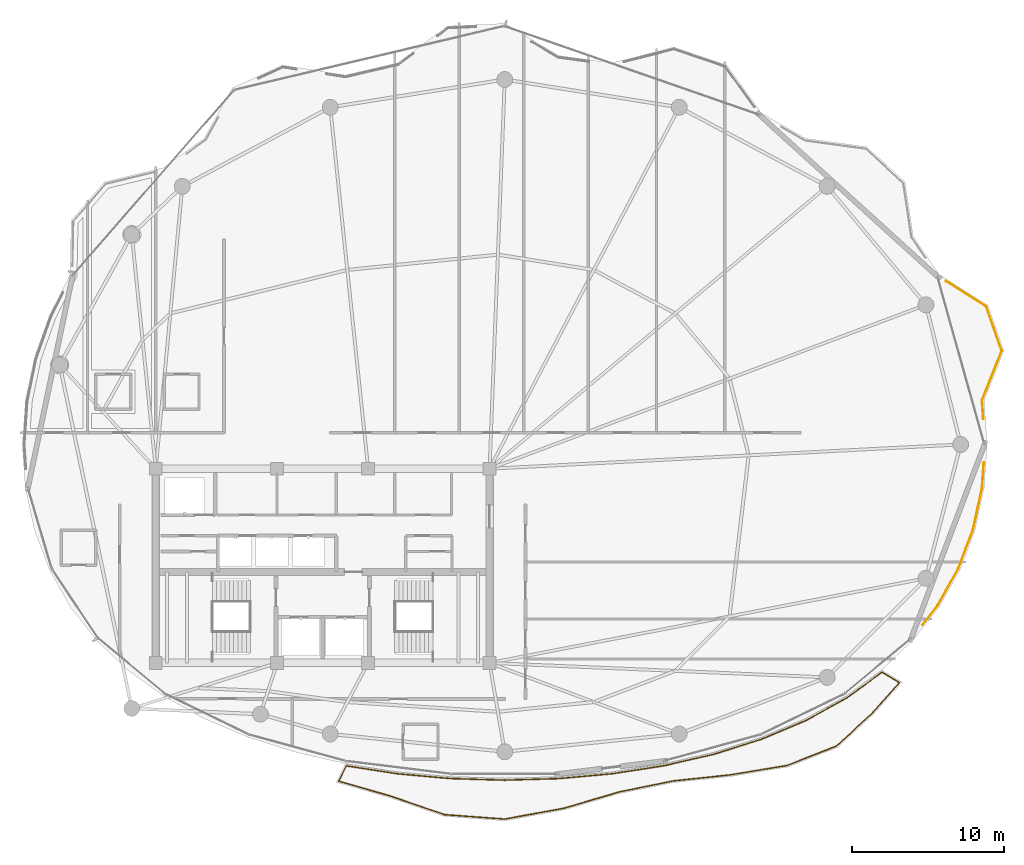
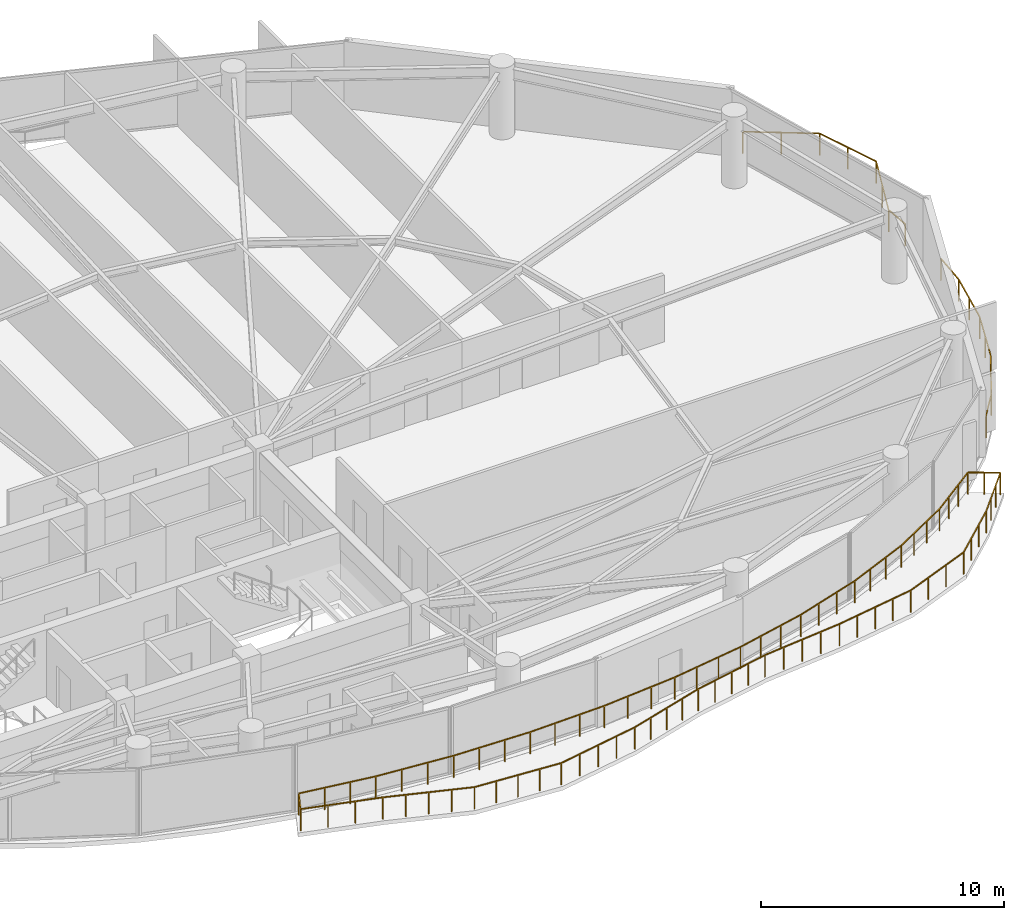
# One storey, part 28 of 29: 3 railings.
"""IFC4 building model written with IfcOpenShell, lengths in metres."""

import ifcopenshell
import ifcopenshell.guid

model = None  # the IFC model being written
_history = None  # IfcOwnerHistory: only IFC2X3 demands one
_inside = {}  # id of a spatial element -> (the spatial element, [elements in it])
_under = {}  # id of a project, library or spatial element -> (it, [spatial elements below it])
_declared = {}  # id of a project -> (the project, [libraries it declares])
_typed = {}  # id of a type object -> (the type object, [elements of that type])
_made_of = {}  # id of a material, layer set ... -> (it, [elements and type objects made of it])


def new_model(schema):
    """Start an empty IFC model of exactly this schema.

    Asked for "IFC4X3", IfcOpenShell would pick the latest addendum, in which some entities
    have other attributes; the version numbers below select the first issue.
    IFC2X3 requires an IfcOwnerHistory on every rooted entity: one is made here for all.
    """
    global model, _history
    if schema == "IFC4X3":
        model = ifcopenshell.file(schema_version=(4, 3, 0, 0))
    else:
        model = ifcopenshell.file(schema=schema)
    _inside.clear()
    _under.clear()
    _declared.clear()
    _typed.clear()
    _made_of.clear()
    _history = None
    if model.schema == "IFC2X3":
        org = make("IfcOrganization", Name="unknown")
        user = make(
            "IfcPersonAndOrganization",
            ThePerson=make("IfcPerson", FamilyName="unknown"),
            TheOrganization=org,
        )
        app = make(
            "IfcApplication",
            ApplicationDeveloper=org,
            Version="unknown",
            ApplicationFullName="unknown",
            ApplicationIdentifier="unknown",
        )
        _history = make(
            "IfcOwnerHistory",
            OwningUser=user,
            OwningApplication=app,
            ChangeAction="ADDED",
            CreationDate=0,
        )
    return model


def make(cls, **values):
    """One entity of the class cls with the attributes given. An attribute that is None is left unset."""
    return model.create_entity(
        cls, **{name: value for name, value in values.items() if value is not None}
    )


def rooted(cls, **values):
    """An entity with a GlobalId (a new one), such as an element, a storey or a relation."""
    return make(cls, GlobalId=ifcopenshell.guid.new(), OwnerHistory=_history, **values)


def si_unit(unit_type, name, prefix=None):
    """IfcSIUnit, for example si_unit("LENGTHUNIT", "METRE", prefix="MILLI")."""
    return make("IfcSIUnit", UnitType=unit_type, Prefix=prefix, Name=name)


def assignment(units):
    """IfcUnitAssignment: the units of a project."""
    return None if units is None else make("IfcUnitAssignment", Units=units)


def point(xyz):
    """IfcCartesianPoint."""
    return None if xyz is None else make("IfcCartesianPoint", Coordinates=xyz)


def direction(xyz):
    """IfcDirection."""
    return None if xyz is None else make("IfcDirection", DirectionRatios=xyz)


def frame(location, z_axis=None, x_axis=None):
    """IfcAxis2Placement3D, a coordinate frame: its origin and axes. An axis left out is left unset."""
    return make(
        "IfcAxis2Placement3D",
        Location=point(location),
        Axis=direction(z_axis),
        RefDirection=direction(x_axis),
    )


def frame_2d(location, x_axis=None):
    """IfcAxis2Placement2D, a coordinate frame in the plane: its origin and x axis."""
    return make(
        "IfcAxis2Placement2D", Location=point(location), RefDirection=direction(x_axis)
    )


def origin():
    """The frame at (0, 0, 0) with its axes left unset."""
    return frame((0.0, 0.0, 0.0))


def origin_2d():
    """The frame at (0, 0) in the plane with its x axis left unset."""
    return frame_2d((0.0, 0.0))


def place(relative_to, where):
    """IfcLocalPlacement: puts the frame where relative to a parent placement (None: the world)."""
    return make(
        "IfcLocalPlacement", PlacementRelTo=relative_to, RelativePlacement=where
    )


def context(
    kind, dimensions, precision=None, world=None, true_north=None, identifier=None
):
    """IfcGeometricRepresentationContext, for example the 3D "Model" context."""
    return make(
        "IfcGeometricRepresentationContext",
        ContextIdentifier=identifier,
        ContextType=kind,
        CoordinateSpaceDimension=dimensions,
        Precision=precision,
        WorldCoordinateSystem=world,
        TrueNorth=true_north,
    )


def subcontext(parent, identifier, kind, view, scale=None):
    """IfcGeometricRepresentationSubContext, for example "Body" below "Model"."""
    return make(
        "IfcGeometricRepresentationSubContext",
        ContextIdentifier=identifier,
        ContextType=kind,
        ParentContext=parent,
        TargetScale=scale,
        TargetView=view,
    )


def project(units=None, contexts=None):
    """IfcProject with its units and contexts."""
    return rooted(
        "IfcProject",
        Name="project",
        RepresentationContexts=contexts,
        UnitsInContext=assignment(units),
    )


def spatial(cls, under=None, at=None, **own):
    """A site, building, storey or space (cls), placed at a placement, below another one or the project."""
    s = rooted(cls, ObjectPlacement=at, **own)
    if under is not None:
        _under.setdefault(under.id(), (under, []))[1].append(s)
    return s


def profile(cls, at=None, kind="AREA", **sizes):
    """A parametric profile (cls). Its sizes go by their IFC names, for example OverallWidth=200.0."""
    return make(cls, ProfileType=kind, Position=at, **sizes)


def rectangle(**sizes):
    """IfcRectangleProfileDef."""
    return profile("IfcRectangleProfileDef", **sizes)


def extrude(swept, where, along, depth):
    """IfcExtrudedAreaSolid: the profile swept, set in the frame where, extruded along a direction by depth."""
    return make(
        "IfcExtrudedAreaSolid",
        SweptArea=swept,
        Position=where,
        ExtrudedDirection=direction(along),
        Depth=depth,
    )


def shape(context_of_items, identifier, shape_type, items):
    """IfcShapeRepresentation: the items that make up one representation, for example the "Body"."""
    return make(
        "IfcShapeRepresentation",
        ContextOfItems=context_of_items,
        RepresentationIdentifier=identifier,
        RepresentationType=shape_type,
        Items=items,
    )


def material(Name=None, Category=None):
    """IfcMaterial."""
    return make("IfcMaterial", Name=Name, Category=Category)


def made_of(thing, what):
    """Note that an element or type object is made of a material, layer set ...; save() writes the relation."""
    if what is not None:
        _made_of.setdefault(what.id(), (what, []))[1].append(thing)
    return thing


def type_object(cls, material=None, **own):
    """A type object (cls), such as IfcWallType, which elements share."""
    return made_of(rooted(cls, **own), material)


def element(
    cls,
    number,
    at=None,
    inside=None,
    cuts=None,
    type_object=None,
    material=None,
    context=None,
    identifier="Body",
    shape_type=None,
    held_by="IfcProductDefinitionShape",
    body=None,
    shapes=None,
    **own,
):
    """One element of the class cls, such as IfcWall. Its Tag is "e" and its number.

    at: its placement. inside: the storey or other place that contains it. cuts: it is an
    opening in that element (IfcRelVoidsElement). A single representation is given by context,
    identifier, shape_type and body (its items); several are given by shapes. held_by: the class
    of the entity that holds the representations. save() writes the other relations.
    """
    e = rooted(cls, Tag="e%d" % number, ObjectPlacement=at, **own)
    if body is not None:
        shapes = [shape(context, identifier, shape_type, body)]
    if shapes is not None:
        e.Representation = make(held_by, Representations=shapes)
    if inside is not None:
        _inside.setdefault(inside.id(), (inside, []))[1].append(e)
    if cuts is not None:
        rooted(
            "IfcRelVoidsElement", RelatingBuildingElement=cuts, RelatedOpeningElement=e
        )
    if type_object is not None:
        _typed.setdefault(type_object.id(), (type_object, []))[1].append(e)
    return made_of(e, material)


def aggregate(whole, parts):
    """IfcRelAggregates: a whole, such as a stair, and the parts it consists of."""
    return rooted("IfcRelAggregates", RelatingObject=whole, RelatedObjects=parts)


def save(model, path):
    """Write the relations noted so far, then the file.

    IfcRelAggregates (storeys below a building ...), IfcRelContainedInSpatialStructure (elements
    in a storey), IfcRelDefinesByType, IfcRelAssociatesMaterial and IfcRelDeclares: one each for
    every whole, place, type object, material and project.
    """
    for whole, parts in _under.values():
        aggregate(whole, parts)
    for where, things in _inside.values():
        rooted(
            "IfcRelContainedInSpatialStructure",
            RelatedElements=things,
            RelatingStructure=where,
        )
    for kind, things in _typed.values():
        rooted("IfcRelDefinesByType", RelatedObjects=things, RelatingType=kind)
    for what, things in _made_of.values():
        rooted("IfcRelAssociatesMaterial", RelatedObjects=things, RelatingMaterial=what)
    for by, libraries in _declared.values():
        rooted("IfcRelDeclares", RelatingContext=by, RelatedDefinitions=libraries)
    model.write(path)


model = new_model("IFC4")

# Units and contexts
model_context = context("Model", 3, precision=1e-05, world=origin(), true_north=direction((0.0, 1.0)))
body_context = subcontext(model_context, "Body", "Model", "MODEL_VIEW")
ifc_project = project(units=[si_unit("LENGTHUNIT", "METRE"), si_unit("AREAUNIT", "SQUARE_METRE"), si_unit("VOLUMEUNIT", "CUBIC_METRE"), si_unit("PLANEANGLEUNIT", "RADIAN"), si_unit("MASSUNIT", "GRAM", prefix="KILO")], contexts=[model_context])

# Site, building, storey
site_placement = place(None, origin())
site = spatial("IfcSite", under=ifc_project, at=site_placement, CompositionType="ELEMENT")
building_placement = place(site_placement, origin())
building = spatial("IfcBuilding", under=site, at=building_placement, Name="Kazevale Care Tower and Concert Hall", CompositionType="ELEMENT")
storey_placement = place(building_placement, frame((0.0, 0.0, 224.39990234375)))
storey = spatial("IfcBuildingStorey", under=building, at=storey_placement, Name="L59", CompositionType="ELEMENT", Elevation=224.39990234375)

# Railings
ifc_material = material(Name="Anodised Bronze Aluminium and Laminated Glass", Category="aluminium")
railing_type = type_object("IfcRailingType", Name="Balcony and Terrace Balustrade 1120", PredefinedType="BALUSTRADE", material=ifc_material)
railing_1_placement = place(storey_placement, frame((76.576904296875, 36.81103515625, 0.0)))
element("IfcRailing", 1, at=railing_1_placement, inside=storey, type_object=railing_type, Name="rail:L59:perim:10", PredefinedType="BALUSTRADE", context=body_context, shape_type="SweptSolid", body=[
    extrude(rectangle(XDim=0.048095703125, YDim=0.048095703125, at=origin_2d()), frame((0.0, 0.0, 1.09619140625), z_axis=(-0.069683140934, -0.997569175481, 0.0), x_axis=(0.997569175481, -0.069683140934, 0.0)), (0.0, 0.0, 1.0), 1.664306640625),
    extrude(rectangle(XDim=0.048095703125, YDim=0.048095703125, at=origin_2d()), frame((-0.115966796875, -1.66015625, 1.09619140625), z_axis=(-0.210886672564, -0.97751051725, 0.0), x_axis=(0.97751051725, -0.210886672564, 0.0)), (0.0, 0.0, 1.0), 2.81201171875),
    extrude(rectangle(XDim=0.048095703125, YDim=0.048095703125, at=origin_2d()), frame((-0.708984375, -4.408935546875, 1.09619140625), z_axis=(-0.352914941795, -0.935655408715, 0.0), x_axis=(0.935655408715, -0.352914941795, 0.0)), (0.0, 0.0, 1.0), 2.77685546875),
    extrude(rectangle(XDim=0.048095703125, YDim=0.048095703125, at=origin_2d()), frame((-1.68896484375, -7.007080078125, 1.09619140625), z_axis=(-0.490131162051, -0.871648692987, 0.0), x_axis=(0.871648692987, -0.490131162051, 0.0)), (0.0, 0.0, 1.0), 2.762451171875),
    extrude(rectangle(XDim=0.048095703125, YDim=0.048095703125, at=origin_2d()), frame((-3.04296875, -9.4150390625, 1.09619140625), z_axis=(-0.615507243123, -0.788131228707, 0.0), x_axis=(0.788131228707, -0.615507243123, 0.0)), (0.0, 0.0, 1.0), 1.6279296875),
    extrude(rectangle(XDim=0.0419921875, YDim=0.0419921875, at=origin_2d()), origin(), (0.0, 0.0, 1.0), 1.072021484375),
    extrude(rectangle(XDim=0.0419921875, YDim=0.0419921875, at=origin_2d()), frame((-0.115966796875, -1.66015625, 0.0)), (0.0, 0.0, 1.0), 1.072021484375),
    extrude(rectangle(XDim=0.0419921875, YDim=0.0419921875, at=origin_2d()), frame((-0.41259765625, -3.03466796875, 0.0)), (0.0, 0.0, 1.0), 1.072021484375),
    extrude(rectangle(XDim=0.0419921875, YDim=0.0419921875, at=origin_2d()), frame((-0.708984375, -4.408935546875, 0.0)), (0.0, 0.0, 1.0), 1.072021484375),
    extrude(rectangle(XDim=0.0419921875, YDim=0.0419921875, at=origin_2d()), frame((-1.198974609375, -5.7080078125, 0.0)), (0.0, 0.0, 1.0), 1.072021484375),
    extrude(rectangle(XDim=0.0419921875, YDim=0.0419921875, at=origin_2d()), frame((-1.68896484375, -7.007080078125, 0.0)), (0.0, 0.0, 1.0), 1.072021484375),
    extrude(rectangle(XDim=0.0419921875, YDim=0.0419921875, at=origin_2d()), frame((-2.365966796875, -8.2109375, 0.0)), (0.0, 0.0, 1.0), 1.072021484375),
    extrude(rectangle(XDim=0.0419921875, YDim=0.0419921875, at=origin_2d()), frame((-3.04296875, -9.4150390625, 0.0)), (0.0, 0.0, 1.0), 1.072021484375),
    extrude(rectangle(XDim=0.0419921875, YDim=0.0419921875, at=origin_2d()), frame((-4.044921875, -10.697998046875, 0.0)), (0.0, 0.0, 1.0), 1.072021484375),
])
railing_2_placement = place(storey_placement, frame((74.073974609375, 48.760009765625, 0.0)))
element("IfcRailing", 2, at=railing_2_placement, inside=storey, type_object=railing_type, Name="rail:L59:perim:11", PredefinedType="BALUSTRADE", context=body_context, shape_type="SweptSolid", body=[
    extrude(rectangle(XDim=0.048095703125, YDim=0.048095703125, at=origin_2d()), frame((0.0, 0.0, 1.09619140625), z_axis=(0.845028885188, -0.534720659034, 0.0), x_axis=(0.534720659034, 0.845028885188, 0.0)), (0.0, 0.0, 1.0), 3.155029296875),
    extrude(rectangle(XDim=0.048095703125, YDim=0.048095703125, at=origin_2d()), frame((2.666015625, -1.68701171875, 1.09619140625), z_axis=(0.330541862018, -0.943791331521, 0.0), x_axis=(0.943791331521, 0.330541862018, 0.0)), (0.0, 0.0, 1.0), 3.0673828125),
    extrude(rectangle(XDim=0.048095703125, YDim=0.048095703125, at=origin_2d()), frame((3.679931640625, -4.58203125, 1.09619140625), z_axis=(-0.368706440166, -0.929545889658, 0.0), x_axis=(0.929545889658, -0.368706440166, 0.0)), (0.0, 0.0, 1.0), 3.5146484375),
    extrude(rectangle(XDim=0.048095703125, YDim=0.048095703125, at=origin_2d()), frame((2.384033203125, -7.84912109375, 1.09619140625), z_axis=(0.069088253147, -0.997610551907, 0.0), x_axis=(0.997610551907, 0.069088253147, 0.0)), (0.0, 0.0, 1.0), 1.229736328125),
    extrude(rectangle(XDim=0.0419921875, YDim=0.0419921875, at=origin_2d()), origin(), (0.0, 0.0, 1.0), 1.072021484375),
    extrude(rectangle(XDim=0.0419921875, YDim=0.0419921875, at=origin_2d()), frame((1.3330078125, -0.843505859375, 0.0)), (0.0, 0.0, 1.0), 1.072021484375),
    extrude(rectangle(XDim=0.0419921875, YDim=0.0419921875, at=origin_2d()), frame((2.666015625, -1.68701171875, 0.0)), (0.0, 0.0, 1.0), 1.072021484375),
    extrude(rectangle(XDim=0.0419921875, YDim=0.0419921875, at=origin_2d()), frame((3.1728515625, -3.134521484375, 0.0)), (0.0, 0.0, 1.0), 1.072021484375),
    extrude(rectangle(XDim=0.0419921875, YDim=0.0419921875, at=origin_2d()), frame((3.679931640625, -4.58203125, 0.0)), (0.0, 0.0, 1.0), 1.072021484375),
    extrude(rectangle(XDim=0.0419921875, YDim=0.0419921875, at=origin_2d()), frame((3.031982421875, -6.215576171875, 0.0)), (0.0, 0.0, 1.0), 1.072021484375),
    extrude(rectangle(XDim=0.0419921875, YDim=0.0419921875, at=origin_2d()), frame((2.384033203125, -7.84912109375, 0.0)), (0.0, 0.0, 1.0), 1.072021484375),
    extrude(rectangle(XDim=0.0419921875, YDim=0.0419921875, at=origin_2d()), frame((2.468994140625, -9.075927734375, 0.0)), (0.0, 0.0, 1.0), 1.072021484375),
])
railing_3_placement = place(storey_placement, frame((34.56298828125, 16.819091796875, 0.0)))
element("IfcRailing", 3, at=railing_3_placement, inside=storey, type_object=railing_type, Name="rail:L59:balcony", PredefinedType="BALUSTRADE", context=body_context, shape_type="SweptSolid", body=[
    extrude(rectangle(XDim=0.048095703125, YDim=0.048095703125, at=origin_2d()), frame((0.0, 0.0, 1.09619140625), z_axis=(0.988093340761, -0.15385561395, 0.0), x_axis=(0.15385561395, 0.988093340761, 0.0)), (0.0, 0.0, 1.0), 3.38623046875),
    extrude(rectangle(XDim=0.048095703125, YDim=0.048095703125, at=origin_2d()), frame((3.345947265625, -0.52099609375, 1.09619140625), z_axis=(0.995947899496, -0.089932093766, 0.0), x_axis=(0.089932093766, 0.995947899496, 0.0)), (0.0, 0.0, 1.0), 3.537353515625),
    extrude(rectangle(XDim=0.048095703125, YDim=0.048095703125, at=origin_2d()), frame((6.868896484375, -0.839111328125, 1.09619140625), z_axis=(0.999567458851, -0.029409100739, 0.0), x_axis=(0.029409100739, 0.999567458851, 0.0)), (0.0, 0.0, 1.0), 3.569580078125),
    extrude(rectangle(XDim=0.048095703125, YDim=0.048095703125, at=origin_2d()), frame((10.43701171875, -0.944091796875, 1.09619140625), z_axis=(0.999567458851, 0.029409100739, 0.0), x_axis=(-0.029409100739, 0.999567458851, 0.0)), (0.0, 0.0, 1.0), 3.569580078125),
    extrude(rectangle(XDim=0.048095703125, YDim=0.048095703125, at=origin_2d()), frame((14.005126953125, -0.839111328125, 1.09619140625), z_axis=(0.995947899496, 0.089932093766, 0.0), x_axis=(-0.089932093766, 0.995947899496, 0.0)), (0.0, 0.0, 1.0), 3.537353515625),
    extrude(rectangle(XDim=0.048095703125, YDim=0.048095703125, at=origin_2d()), frame((17.528076171875, -0.52099609375, 1.09619140625), z_axis=(0.988098216207, 0.153824299539, 0.0), x_axis=(-0.153824299539, 0.988098216207, 0.0)), (0.0, 0.0, 1.0), 3.4775390625),
    extrude(rectangle(XDim=0.048095703125, YDim=0.048095703125, at=origin_2d()), frame((20.964111328125, 0.013916015625, 1.09619140625), z_axis=(0.974534254558, 0.224238682418, 0.0), x_axis=(-0.224238682418, 0.974534254558, 0.0)), (0.0, 0.0, 1.0), 3.389404296875),
    extrude(rectangle(XDim=0.048095703125, YDim=0.048095703125, at=origin_2d()), frame((24.26708984375, 0.77392578125, 1.09619140625), z_axis=(0.953239514235, 0.302215864078, 0.0), x_axis=(-0.302215864078, 0.953239514235, 0.0)), (0.0, 0.0, 1.0), 3.285400390625),
    extrude(rectangle(XDim=0.048095703125, YDim=0.048095703125, at=origin_2d()), frame((27.39892578125, 1.766845703125, 1.09619140625), z_axis=(0.921006567992, 0.389547046858, 0.0), x_axis=(-0.389547046858, 0.921006567992, 0.0)), (0.0, 0.0, 1.0), 3.170654296875),
    extrude(rectangle(XDim=0.048095703125, YDim=0.048095703125, at=origin_2d()), frame((30.319091796875, 3.001953125, 1.09619140625), z_axis=(0.874149737903, 0.485656499724, 0.0), x_axis=(-0.485656499724, 0.874149737903, 0.0)), (0.0, 0.0, 1.0), 3.055419921875),
    extrude(rectangle(XDim=0.048095703125, YDim=0.048095703125, at=origin_2d()), frame((32.989990234375, 4.48583984375, 1.09619140625), z_axis=(0.809111467971, 0.587655198562, 0.0), x_axis=(-0.587655198562, 0.809111467971, 0.0)), (0.0, 0.0, 1.0), 2.867431640625),
    extrude(rectangle(XDim=0.048095703125, YDim=0.048095703125, at=origin_2d()), frame((35.31005859375, 6.1708984375, 1.09619140625), z_axis=(0.858393665288, -0.512991535402, 0.0), x_axis=(0.512991535402, 0.858393665288, 0.0)), (0.0, 0.0, 1.0), 1.33740234375),
    extrude(rectangle(XDim=0.048095703125, YDim=0.048095703125, at=origin_2d()), frame((36.4580078125, 5.48486328125, 1.09619140625), z_axis=(-0.668384241521, -0.743816177349, 0.0), x_axis=(0.743816177349, -0.668384241521, 0.0)), (0.0, 0.0, 1.0), 2.8125),
    extrude(rectangle(XDim=0.048095703125, YDim=0.048095703125, at=origin_2d()), frame((34.578125, 3.392822265625, 1.09619140625), z_axis=(-0.737052488567, -0.675835504467, 0.0), x_axis=(0.675835504467, -0.737052488567, 0.0)), (0.0, 0.0, 1.0), 3.0908203125),
    extrude(rectangle(XDim=0.048095703125, YDim=0.048095703125, at=origin_2d()), frame((32.300048828125, 1.303955078125, 1.09619140625), z_axis=(-0.930836510622, -0.365435891084, 0.0), x_axis=(0.365435891084, -0.930836510622, 0.0)), (0.0, 0.0, 1.0), 3.489501953125),
    extrude(rectangle(XDim=0.048095703125, YDim=0.048095703125, at=origin_2d()), frame((29.052001953125, 0.02880859375, 1.09619140625), z_axis=(-0.986416538605, -0.164263241072, 0.0), x_axis=(0.164263241072, -0.986416538605, 0.0)), (0.0, 0.0, 1.0), 3.79150390625),
    extrude(rectangle(XDim=0.048095703125, YDim=0.048095703125, at=origin_2d()), frame((25.31201171875, -0.593994140625, 1.09619140625), z_axis=(-0.994432821465, -0.105372499228, 0.0), x_axis=(0.105372499228, -0.994432821465, 0.0)), (0.0, 0.0, 1.0), 3.7880859375),
    extrude(rectangle(XDim=0.048095703125, YDim=0.048095703125, at=origin_2d()), frame((21.544921875, -0.9931640625, 1.09619140625), z_axis=(-0.979808858255, -0.199936493129, 0.0), x_axis=(0.199936493129, -0.979808858255, 0.0)), (0.0, 0.0, 1.0), 3.660888671875),
    extrude(rectangle(XDim=0.048095703125, YDim=0.048095703125, at=origin_2d()), frame((17.9580078125, -1.72509765625, 1.09619140625), z_axis=(-0.959075433018, -0.283150690942, 0.0), x_axis=(0.283150690942, -0.959075433018, 0.0)), (0.0, 0.0, 1.0), 3.7861328125),
    extrude(rectangle(XDim=0.048095703125, YDim=0.048095703125, at=origin_2d()), frame((14.326904296875, -2.797119140625, 1.09619140625), z_axis=(-0.983798812619, -0.179276033782, 0.0), x_axis=(0.179276033782, -0.983798812619, 0.0)), (0.0, 0.0, 1.0), 3.960205078125),
    extrude(rectangle(XDim=0.048095703125, YDim=0.048095703125, at=origin_2d()), frame((10.430908203125, -3.507080078125, 1.09619140625), z_axis=(-0.997342128338, 0.072860682418, 0.0), x_axis=(-0.072860682418, -0.997342128338, 0.0)), (0.0, 0.0, 1.0), 3.96728515625),
    extrude(rectangle(XDim=0.048095703125, YDim=0.048095703125, at=origin_2d()), frame((6.47412109375, -3.218017578125, 1.09619140625), z_axis=(-0.945671323104, 0.325124204971, 0.0), x_axis=(-0.325124204971, -0.945671323104, 0.0)), (0.0, 0.0, 1.0), 3.838623046875),
    extrude(rectangle(XDim=0.048095703125, YDim=0.048095703125, at=origin_2d()), frame((2.843994140625, -1.969970703125, 1.09619140625), z_axis=(-0.961264286411, 0.275628321605, 0.0), x_axis=(-0.275628321605, -0.961264286411, 0.0)), (0.0, 0.0, 1.0), 3.48291015625),
    extrude(rectangle(XDim=0.048095703125, YDim=0.048095703125, at=origin_2d()), frame((-0.50390625, -1.010009765625, 1.09619140625), z_axis=(0.446434760748, 0.894816184697, 0.0), x_axis=(-0.894816184697, 0.446434760748, 0.0)), (0.0, 0.0, 1.0), 1.128662109375),
    extrude(rectangle(XDim=0.0419921875, YDim=0.0419921875, at=origin_2d()), origin(), (0.0, 0.0, 1.0), 1.072021484375),
    extrude(rectangle(XDim=0.0419921875, YDim=0.0419921875, at=origin_2d()), frame((1.115234375, -0.173583984375, 0.0)), (0.0, 0.0, 1.0), 1.072021484375),
    extrude(rectangle(XDim=0.0419921875, YDim=0.0419921875, at=origin_2d()), frame((2.230712890625, -0.347412109375, 0.0)), (0.0, 0.0, 1.0), 1.072021484375),
    extrude(rectangle(XDim=0.0419921875, YDim=0.0419921875, at=origin_2d()), frame((3.345947265625, -0.52099609375, 0.0)), (0.0, 0.0, 1.0), 1.072021484375),
    extrude(rectangle(XDim=0.0419921875, YDim=0.0419921875, at=origin_2d()), frame((4.520263671875, -0.626953125, 0.0)), (0.0, 0.0, 1.0), 1.072021484375),
    extrude(rectangle(XDim=0.0419921875, YDim=0.0419921875, at=origin_2d()), frame((5.694580078125, -0.733154296875, 0.0)), (0.0, 0.0, 1.0), 1.072021484375),
    extrude(rectangle(XDim=0.0419921875, YDim=0.0419921875, at=origin_2d()), frame((6.868896484375, -0.839111328125, 0.0)), (0.0, 0.0, 1.0), 1.072021484375),
    extrude(rectangle(XDim=0.0419921875, YDim=0.0419921875, at=origin_2d()), frame((8.058349609375, -0.8740234375, 0.0)), (0.0, 0.0, 1.0), 1.072021484375),
    extrude(rectangle(XDim=0.0419921875, YDim=0.0419921875, at=origin_2d()), frame((9.24755859375, -0.9091796875, 0.0)), (0.0, 0.0, 1.0), 1.072021484375),
    extrude(rectangle(XDim=0.0419921875, YDim=0.0419921875, at=origin_2d()), frame((10.43701171875, -0.944091796875, 0.0)), (0.0, 0.0, 1.0), 1.072021484375),
    extrude(rectangle(XDim=0.0419921875, YDim=0.0419921875, at=origin_2d()), frame((11.62646484375, -0.9091796875, 0.0)), (0.0, 0.0, 1.0), 1.072021484375),
    extrude(rectangle(XDim=0.0419921875, YDim=0.0419921875, at=origin_2d()), frame((12.815673828125, -0.8740234375, 0.0)), (0.0, 0.0, 1.0), 1.072021484375),
    extrude(rectangle(XDim=0.0419921875, YDim=0.0419921875, at=origin_2d()), frame((14.005126953125, -0.839111328125, 0.0)), (0.0, 0.0, 1.0), 1.072021484375),
    extrude(rectangle(XDim=0.0419921875, YDim=0.0419921875, at=origin_2d()), frame((15.179443359375, -0.733154296875, 0.0)), (0.0, 0.0, 1.0), 1.072021484375),
    extrude(rectangle(XDim=0.0419921875, YDim=0.0419921875, at=origin_2d()), frame((16.353759765625, -0.626953125, 0.0)), (0.0, 0.0, 1.0), 1.072021484375),
    extrude(rectangle(XDim=0.0419921875, YDim=0.0419921875, at=origin_2d()), frame((17.528076171875, -0.52099609375, 0.0)), (0.0, 0.0, 1.0), 1.072021484375),
    extrude(rectangle(XDim=0.0419921875, YDim=0.0419921875, at=origin_2d()), frame((18.67333984375, -0.3427734375, 0.0)), (0.0, 0.0, 1.0), 1.072021484375),
    extrude(rectangle(XDim=0.0419921875, YDim=0.0419921875, at=origin_2d()), frame((19.81884765625, -0.164306640625, 0.0)), (0.0, 0.0, 1.0), 1.072021484375),
    extrude(rectangle(XDim=0.0419921875, YDim=0.0419921875, at=origin_2d()), frame((20.964111328125, 0.013916015625, 0.0)), (0.0, 0.0, 1.0), 1.072021484375),
    extrude(rectangle(XDim=0.0419921875, YDim=0.0419921875, at=origin_2d()), frame((22.065185546875, 0.267333984375, 0.0)), (0.0, 0.0, 1.0), 1.072021484375),
    extrude(rectangle(XDim=0.0419921875, YDim=0.0419921875, at=origin_2d()), frame((23.166015625, 0.5205078125, 0.0)), (0.0, 0.0, 1.0), 1.072021484375),
    extrude(rectangle(XDim=0.0419921875, YDim=0.0419921875, at=origin_2d()), frame((24.26708984375, 0.77392578125, 0.0)), (0.0, 0.0, 1.0), 1.072021484375),
    extrude(rectangle(XDim=0.0419921875, YDim=0.0419921875, at=origin_2d()), frame((25.31103515625, 1.10498046875, 0.0)), (0.0, 0.0, 1.0), 1.072021484375),
    extrude(rectangle(XDim=0.0419921875, YDim=0.0419921875, at=origin_2d()), frame((26.35498046875, 1.435791015625, 0.0)), (0.0, 0.0, 1.0), 1.072021484375),
    extrude(rectangle(XDim=0.0419921875, YDim=0.0419921875, at=origin_2d()), frame((27.39892578125, 1.766845703125, 0.0)), (0.0, 0.0, 1.0), 1.072021484375),
    extrude(rectangle(XDim=0.0419921875, YDim=0.0419921875, at=origin_2d()), frame((28.372314453125, 2.178466796875, 0.0)), (0.0, 0.0, 1.0), 1.072021484375),
    extrude(rectangle(XDim=0.0419921875, YDim=0.0419921875, at=origin_2d()), frame((29.345703125, 2.59033203125, 0.0)), (0.0, 0.0, 1.0), 1.072021484375),
    extrude(rectangle(XDim=0.0419921875, YDim=0.0419921875, at=origin_2d()), frame((30.319091796875, 3.001953125, 0.0)), (0.0, 0.0, 1.0), 1.072021484375),
    extrude(rectangle(XDim=0.0419921875, YDim=0.0419921875, at=origin_2d()), frame((31.20947265625, 3.49658203125, 0.0)), (0.0, 0.0, 1.0), 1.072021484375),
    extrude(rectangle(XDim=0.0419921875, YDim=0.0419921875, at=origin_2d()), frame((32.099609375, 3.9912109375, 0.0)), (0.0, 0.0, 1.0), 1.072021484375),
    extrude(rectangle(XDim=0.0419921875, YDim=0.0419921875, at=origin_2d()), frame((32.989990234375, 4.48583984375, 0.0)), (0.0, 0.0, 1.0), 1.072021484375),
    extrude(rectangle(XDim=0.0419921875, YDim=0.0419921875, at=origin_2d()), frame((33.763427734375, 5.047607421875, 0.0)), (0.0, 0.0, 1.0), 1.072021484375),
    extrude(rectangle(XDim=0.0419921875, YDim=0.0419921875, at=origin_2d()), frame((34.53662109375, 5.609130859375, 0.0)), (0.0, 0.0, 1.0), 1.072021484375),
    extrude(rectangle(XDim=0.0419921875, YDim=0.0419921875, at=origin_2d()), frame((35.31005859375, 6.1708984375, 0.0)), (0.0, 0.0, 1.0), 1.072021484375),
    extrude(rectangle(XDim=0.0419921875, YDim=0.0419921875, at=origin_2d()), frame((35.884033203125, 5.827880859375, 0.0)), (0.0, 0.0, 1.0), 1.072021484375),
    extrude(rectangle(XDim=0.0419921875, YDim=0.0419921875, at=origin_2d()), frame((36.4580078125, 5.48486328125, 0.0)), (0.0, 0.0, 1.0), 1.072021484375),
    extrude(rectangle(XDim=0.0419921875, YDim=0.0419921875, at=origin_2d()), frame((35.831298828125, 4.78759765625, 0.0)), (0.0, 0.0, 1.0), 1.072021484375),
    extrude(rectangle(XDim=0.0419921875, YDim=0.0419921875, at=origin_2d()), frame((35.204833984375, 4.090087890625, 0.0)), (0.0, 0.0, 1.0), 1.072021484375),
    extrude(rectangle(XDim=0.0419921875, YDim=0.0419921875, at=origin_2d()), frame((34.578125, 3.392822265625, 0.0)), (0.0, 0.0, 1.0), 1.072021484375),
    extrude(rectangle(XDim=0.0419921875, YDim=0.0419921875, at=origin_2d()), frame((33.81884765625, 2.696533203125, 0.0)), (0.0, 0.0, 1.0), 1.072021484375),
    extrude(rectangle(XDim=0.0419921875, YDim=0.0419921875, at=origin_2d()), frame((33.059326171875, 2.000244140625, 0.0)), (0.0, 0.0, 1.0), 1.072021484375),
    extrude(rectangle(XDim=0.0419921875, YDim=0.0419921875, at=origin_2d()), frame((32.300048828125, 1.303955078125, 0.0)), (0.0, 0.0, 1.0), 1.072021484375),
    extrude(rectangle(XDim=0.0419921875, YDim=0.0419921875, at=origin_2d()), frame((31.21728515625, 0.87890625, 0.0)), (0.0, 0.0, 1.0), 1.072021484375),
    extrude(rectangle(XDim=0.0419921875, YDim=0.0419921875, at=origin_2d()), frame((30.134765625, 0.453857421875, 0.0)), (0.0, 0.0, 1.0), 1.072021484375),
    extrude(rectangle(XDim=0.0419921875, YDim=0.0419921875, at=origin_2d()), frame((29.052001953125, 0.02880859375, 0.0)), (0.0, 0.0, 1.0), 1.072021484375),
    extrude(rectangle(XDim=0.0419921875, YDim=0.0419921875, at=origin_2d()), frame((28.116943359375, -0.126953125, 0.0)), (0.0, 0.0, 1.0), 1.072021484375),
    extrude(rectangle(XDim=0.0419921875, YDim=0.0419921875, at=origin_2d()), frame((27.18212890625, -0.28271484375, 0.0)), (0.0, 0.0, 1.0), 1.072021484375),
    extrude(rectangle(XDim=0.0419921875, YDim=0.0419921875, at=origin_2d()), frame((26.2470703125, -0.438232421875, 0.0)), (0.0, 0.0, 1.0), 1.072021484375),
    extrude(rectangle(XDim=0.0419921875, YDim=0.0419921875, at=origin_2d()), frame((25.31201171875, -0.593994140625, 0.0)), (0.0, 0.0, 1.0), 1.072021484375),
    extrude(rectangle(XDim=0.0419921875, YDim=0.0419921875, at=origin_2d()), frame((24.3701171875, -0.69384765625, 0.0)), (0.0, 0.0, 1.0), 1.072021484375),
    extrude(rectangle(XDim=0.0419921875, YDim=0.0419921875, at=origin_2d()), frame((23.428466796875, -0.79345703125, 0.0)), (0.0, 0.0, 1.0), 1.072021484375),
    extrude(rectangle(XDim=0.0419921875, YDim=0.0419921875, at=origin_2d()), frame((22.48681640625, -0.893310546875, 0.0)), (0.0, 0.0, 1.0), 1.072021484375),
    extrude(rectangle(XDim=0.0419921875, YDim=0.0419921875, at=origin_2d()), frame((21.544921875, -0.9931640625, 0.0)), (0.0, 0.0, 1.0), 1.072021484375),
    extrude(rectangle(XDim=0.0419921875, YDim=0.0419921875, at=origin_2d()), frame((20.648193359375, -1.17626953125, 0.0)), (0.0, 0.0, 1.0), 1.072021484375),
    extrude(rectangle(XDim=0.0419921875, YDim=0.0419921875, at=origin_2d()), frame((19.75146484375, -1.359130859375, 0.0)), (0.0, 0.0, 1.0), 1.072021484375),
    extrude(rectangle(XDim=0.0419921875, YDim=0.0419921875, at=origin_2d()), frame((18.854736328125, -1.5419921875, 0.0)), (0.0, 0.0, 1.0), 1.072021484375),
    extrude(rectangle(XDim=0.0419921875, YDim=0.0419921875, at=origin_2d()), frame((17.9580078125, -1.72509765625, 0.0)), (0.0, 0.0, 1.0), 1.072021484375),
    extrude(rectangle(XDim=0.0419921875, YDim=0.0419921875, at=origin_2d()), frame((17.05029296875, -1.9931640625, 0.0)), (0.0, 0.0, 1.0), 1.072021484375),
    extrude(rectangle(XDim=0.0419921875, YDim=0.0419921875, at=origin_2d()), frame((16.142578125, -2.26123046875, 0.0)), (0.0, 0.0, 1.0), 1.072021484375),
    extrude(rectangle(XDim=0.0419921875, YDim=0.0419921875, at=origin_2d()), frame((15.234619140625, -2.529052734375, 0.0)), (0.0, 0.0, 1.0), 1.072021484375),
    extrude(rectangle(XDim=0.0419921875, YDim=0.0419921875, at=origin_2d()), frame((14.326904296875, -2.797119140625, 0.0)), (0.0, 0.0, 1.0), 1.072021484375),
    extrude(rectangle(XDim=0.0419921875, YDim=0.0419921875, at=origin_2d()), frame((13.35302734375, -2.974609375, 0.0)), (0.0, 0.0, 1.0), 1.072021484375),
    extrude(rectangle(XDim=0.0419921875, YDim=0.0419921875, at=origin_2d()), frame((12.37890625, -3.152099609375, 0.0)), (0.0, 0.0, 1.0), 1.072021484375),
    extrude(rectangle(XDim=0.0419921875, YDim=0.0419921875, at=origin_2d()), frame((11.40478515625, -3.32958984375, 0.0)), (0.0, 0.0, 1.0), 1.072021484375),
    extrude(rectangle(XDim=0.0419921875, YDim=0.0419921875, at=origin_2d()), frame((10.430908203125, -3.507080078125, 0.0)), (0.0, 0.0, 1.0), 1.072021484375),
    extrude(rectangle(XDim=0.0419921875, YDim=0.0419921875, at=origin_2d()), frame((9.441650390625, -3.434814453125, 0.0)), (0.0, 0.0, 1.0), 1.072021484375),
    extrude(rectangle(XDim=0.0419921875, YDim=0.0419921875, at=origin_2d()), frame((8.45263671875, -3.362548828125, 0.0)), (0.0, 0.0, 1.0), 1.072021484375),
    extrude(rectangle(XDim=0.0419921875, YDim=0.0419921875, at=origin_2d()), frame((7.46337890625, -3.290283203125, 0.0)), (0.0, 0.0, 1.0), 1.072021484375),
    extrude(rectangle(XDim=0.0419921875, YDim=0.0419921875, at=origin_2d()), frame((6.47412109375, -3.218017578125, 0.0)), (0.0, 0.0, 1.0), 1.072021484375),
    extrude(rectangle(XDim=0.0419921875, YDim=0.0419921875, at=origin_2d()), frame((5.566650390625, -2.906005859375, 0.0)), (0.0, 0.0, 1.0), 1.072021484375),
    extrude(rectangle(XDim=0.0419921875, YDim=0.0419921875, at=origin_2d()), frame((4.6591796875, -2.593994140625, 0.0)), (0.0, 0.0, 1.0), 1.072021484375),
    extrude(rectangle(XDim=0.0419921875, YDim=0.0419921875, at=origin_2d()), frame((3.75146484375, -2.281982421875, 0.0)), (0.0, 0.0, 1.0), 1.072021484375),
    extrude(rectangle(XDim=0.0419921875, YDim=0.0419921875, at=origin_2d()), frame((2.843994140625, -1.969970703125, 0.0)), (0.0, 0.0, 1.0), 1.072021484375),
    extrude(rectangle(XDim=0.0419921875, YDim=0.0419921875, at=origin_2d()), frame((1.72802734375, -1.64990234375, 0.0)), (0.0, 0.0, 1.0), 1.072021484375),
    extrude(rectangle(XDim=0.0419921875, YDim=0.0419921875, at=origin_2d()), frame((0.612060546875, -1.330078125, 0.0)), (0.0, 0.0, 1.0), 1.072021484375),
    extrude(rectangle(XDim=0.0419921875, YDim=0.0419921875, at=origin_2d()), frame((-0.50390625, -1.010009765625, 0.0)), (0.0, 0.0, 1.0), 1.072021484375),
])

save(model, "model.ifc")
